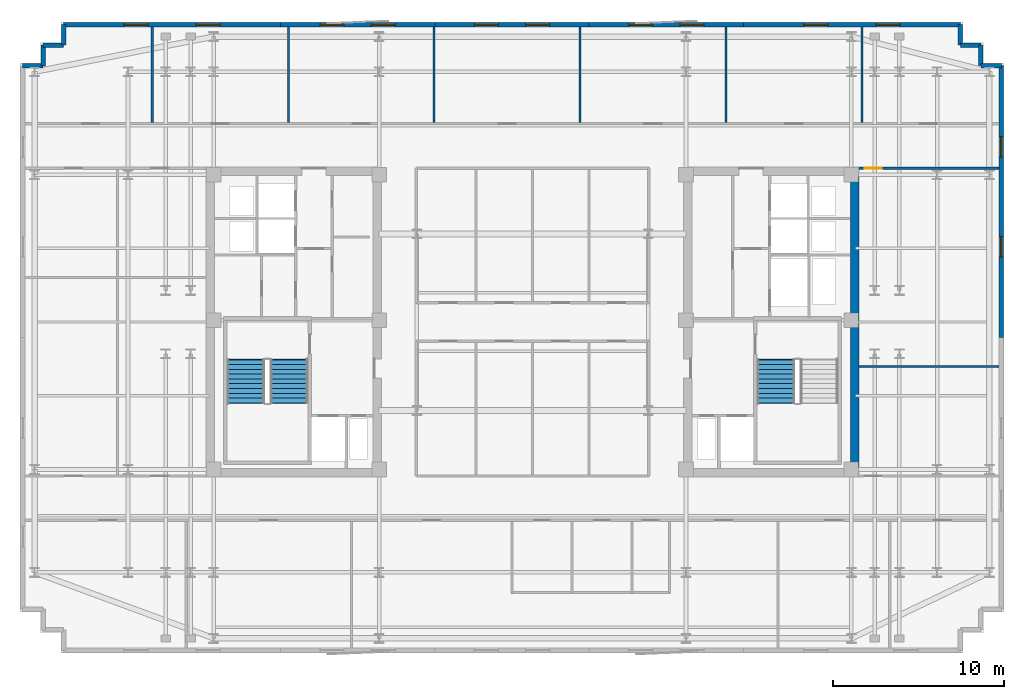
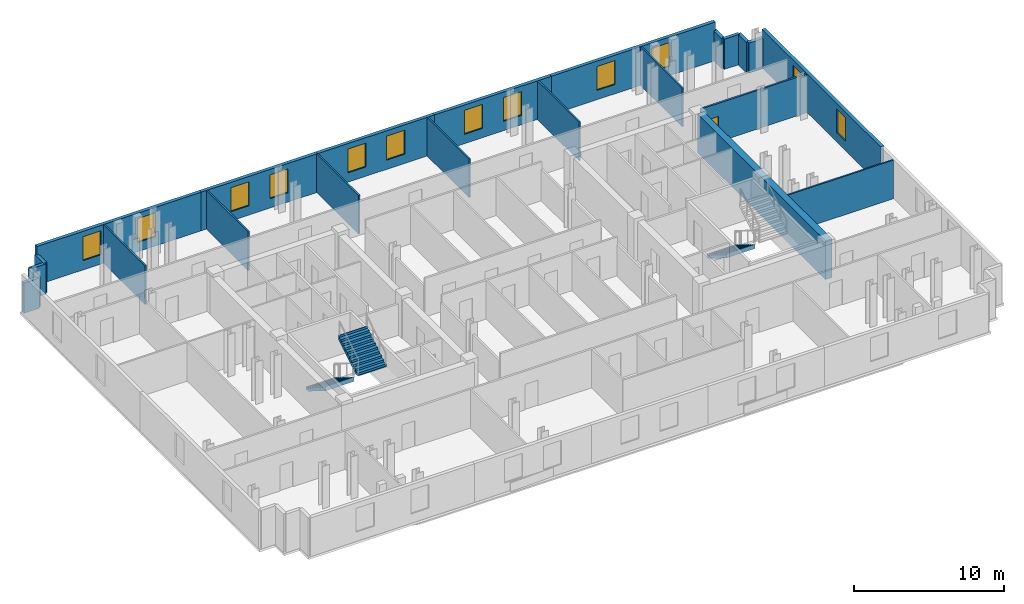
# One storey, part 7 of 10: 23 walls, 12 windows, 3 stair flights, 1 door, 13 openings, 2 elements without a shape of their own.
"""IFC4 building model written with IfcOpenShell, lengths in metres."""

from ifc_helpers import new_model, si_unit, direction, frame, frame_2d, origin, place, context, subcontext, project, spatial, polyline, rectangle, outline, extrude, material, layer, layer_set, type_object, element, fill, aggregate, save


model = new_model("IFC4")

# Units and contexts
model_context = context("Model", 3, precision=1e-05, world=origin(), true_north=direction((0.0, 1.0)))
body_context = subcontext(model_context, "Body", "Model", "MODEL_VIEW")
ifc_project = project(units=[si_unit("LENGTHUNIT", "METRE"), si_unit("AREAUNIT", "SQUARE_METRE"), si_unit("VOLUMEUNIT", "CUBIC_METRE"), si_unit("PLANEANGLEUNIT", "RADIAN"), si_unit("MASSUNIT", "GRAM", prefix="KILO")], contexts=[model_context])

# Site, building, storey
site_placement = place(None, origin())
site = spatial("IfcSite", under=ifc_project, at=site_placement, CompositionType="ELEMENT")
building_placement = place(site_placement, origin())
building = spatial("IfcBuilding", under=site, at=building_placement, Name="Velakula Bourse", CompositionType="ELEMENT")
storey_placement = place(building_placement, frame((0.0, 0.0, 239.550048828125)))
storey = spatial("IfcBuildingStorey", under=building, at=storey_placement, Name="L65", CompositionType="ELEMENT", Elevation=239.550048828125)

# Wall
ifc_material_1 = material(Name="Concrete M50 (fck 50 MPa)", Category="concrete")
ifc_layer_1 = layer(ifc_material_1, 0.5, Name="Concrete M50 (fck 50 MPa)", Category="concrete")
ifc_layer_set_1 = layer_set([ifc_layer_1], Name="Concrete M50 (fck 50 MPa)")
wall_type_1 = type_object("IfcWallType", Name="WL-CORE-500", PredefinedType="SHEAR", material=ifc_layer_set_1)
wall_1_placement = place(storey_placement, frame((18.800048828125, -8.550048828125, 0.0), z_axis=(0.0, 0.0, 1.0), x_axis=(0.0, 1.0, 0.0)))
element("IfcWall", 1, at=wall_1_placement, inside=storey, type_object=wall_type_1, Name="L65 Core E Shear Wall E", PredefinedType="SHEAR", context=body_context, shape_type="SweptSolid", body=[
    extrude(rectangle(XDim=17.10009765625, YDim=0.5, at=frame_2d((8.550048828125, 0.0))), origin(), (0.0, 0.0, 1.0), 3.169921875),
])

# Wall, openings, windows
ifc_material_2 = material(Name="Buff kilned clay facing brick masonry", Category="masonry")
ifc_layer_2 = layer(ifc_material_2, 0.260009765625, Name="Buff kilned clay facing brick masonry", Category="masonry")
ifc_layer_set_2 = layer_set([ifc_layer_2], Name="Buff kilned clay facing brick masonry")
wall_type_2 = type_object("IfcWallType", Name="WL-EXT-BRK-260", PredefinedType="STANDARD", material=ifc_layer_set_2)
wall_2_placement = place(storey_placement, frame((-27.35009765625, 17.35009765625, 0.0), z_axis=(0.0, 0.0, 1.0), x_axis=(1.0, 0.0, 0.0)))
wall_2 = element("IfcWall", 2, at=wall_2_placement, inside=storey, type_object=wall_type_2, Name="L65 N Brick Spandrel Wall B1", PredefinedType="STANDARD", context=body_context, shape_type="SweptSolid", body=[
    extrude(rectangle(XDim=12.650146484375, YDim=0.260009765625, at=frame_2d((6.3251953125, 0.0))), origin(), (0.0, 0.0, 1.0), 3.14990234375),
])
opening_1_placement = place(wall_2_placement, frame((3.5166015625, 0.0, 0.760009765625)))
opening_1 = element("IfcOpeningElement", 3, at=opening_1_placement, cuts=wall_2, Name="Opening W-03", PredefinedType="OPENING", context=body_context, shape_type="SweptSolid", body=[
    extrude(rectangle(XDim=1.39990234375, YDim=1.949951171875, at=frame_2d((0.699951171875, 0.97509765625))), frame((0.0, 0.139892578125, 0.0), z_axis=(0.0, -1.0, 0.0), x_axis=(1.0, 0.0, 0.0)), (0.0, 0.0, 1.0), 0.280029296875),
])
opening_2_placement = place(wall_2_placement, frame((7.7333984375, 0.0, 0.760009765625)))
opening_2 = element("IfcOpeningElement", 4, at=opening_2_placement, cuts=wall_2, Name="Opening W-03", PredefinedType="OPENING", context=body_context, shape_type="SweptSolid", body=[
    extrude(rectangle(XDim=1.39990234375, YDim=1.949951171875, at=frame_2d((0.699951171875, 0.97509765625))), frame((0.0, 0.139892578125, 0.0), z_axis=(0.0, -1.0, 0.0), x_axis=(1.0, 0.0, 0.0)), (0.0, 0.0, 1.0), 0.280029296875),
])
ifc_material_3 = material(Name="Double-glazed solar-control Low-E glass", Category="glass")
window_type_1 = type_object("IfcWindowType", Name="WIN-TWR-1400x2100", PartitioningType="SINGLE_PANEL", PredefinedType="WINDOW", material=ifc_material_3)
window_1_placement = place(opening_1_placement, origin())
window_1 = element("IfcWindow", 5, at=window_1_placement, inside=storey, type_object=window_type_1, Name="L65 Deep-Set Recessed Window 1", OverallHeight=1.949951171875, OverallWidth=1.39990234375, PartitioningType="SINGLE_PANEL", PredefinedType="WINDOW", context=body_context, shape_type="SweptSolid", body=[
    extrude(rectangle(XDim=1.39990234375, YDim=1.949951171875, at=frame_2d((0.699951171875, 0.97509765625))), frame((0.0, 0.030029296875, 0.0), z_axis=(0.0, -1.0, 0.0), x_axis=(1.0, 0.0, 0.0)), (0.0, 0.0, 1.0), 0.06005859375),
])
fill(opening_1, window_1)
window_2_placement = place(opening_2_placement, origin())
window_2 = element("IfcWindow", 6, at=window_2_placement, inside=storey, type_object=window_type_1, Name="L65 Deep-Set Recessed Window 2", OverallHeight=1.949951171875, OverallWidth=1.39990234375, PartitioningType="SINGLE_PANEL", PredefinedType="WINDOW", context=body_context, shape_type="SweptSolid", body=[
    extrude(rectangle(XDim=1.39990234375, YDim=1.949951171875, at=frame_2d((0.699951171875, 0.97509765625))), frame((0.0, 0.030029296875, 0.0), z_axis=(0.0, -1.0, 0.0), x_axis=(1.0, 0.0, 0.0)), (0.0, 0.0, 1.0), 0.06005859375),
])
fill(opening_2, window_2)

wall_3_placement = place(storey_placement, frame((-14.699951171875, 17.35009765625, 0.0), z_axis=(0.0, 0.0, 1.0), x_axis=(1.0, 0.0, 0.0)))
wall_3 = element("IfcWall", 7, at=wall_3_placement, inside=storey, type_object=wall_type_2, Name="L65 N Brick Spandrel Wall B2", PredefinedType="STANDARD", context=body_context, shape_type="SweptSolid", body=[
    extrude(rectangle(XDim=9.0, YDim=0.260009765625, at=frame_2d((4.5, 0.0))), origin(), (0.0, 0.0, 1.0), 3.14990234375),
])
opening_3_placement = place(wall_3_placement, frame((2.300048828125, 0.0, 0.760009765625)))
opening_3 = element("IfcOpeningElement", 8, at=opening_3_placement, cuts=wall_3, Name="Opening W-03", PredefinedType="OPENING", context=body_context, shape_type="SweptSolid", body=[
    extrude(rectangle(XDim=1.39990234375, YDim=1.949951171875, at=frame_2d((0.699951171875, 0.97509765625))), frame((0.0, 0.139892578125, 0.0), z_axis=(0.0, -1.0, 0.0), x_axis=(1.0, 0.0, 0.0)), (0.0, 0.0, 1.0), 0.280029296875),
])
opening_4_placement = place(wall_3_placement, frame((5.300048828125, 0.0, 0.760009765625)))
opening_4 = element("IfcOpeningElement", 9, at=opening_4_placement, cuts=wall_3, Name="Opening W-03", PredefinedType="OPENING", context=body_context, shape_type="SweptSolid", body=[
    extrude(rectangle(XDim=1.39990234375, YDim=1.949951171875, at=frame_2d((0.699951171875, 0.97509765625))), frame((0.0, 0.139892578125, 0.0), z_axis=(0.0, -1.0, 0.0), x_axis=(1.0, 0.0, 0.0)), (0.0, 0.0, 1.0), 0.280029296875),
])
window_3_placement = place(opening_3_placement, origin())
window_3 = element("IfcWindow", 10, at=window_3_placement, inside=storey, type_object=window_type_1, Name="L65 Deep-Set Recessed Window 1", OverallHeight=1.949951171875, OverallWidth=1.39990234375, PartitioningType="SINGLE_PANEL", PredefinedType="WINDOW", context=body_context, shape_type="SweptSolid", body=[
    extrude(rectangle(XDim=1.39990234375, YDim=1.949951171875, at=frame_2d((0.699951171875, 0.97509765625))), frame((0.0, 0.030029296875, 0.0), z_axis=(0.0, -1.0, 0.0), x_axis=(1.0, 0.0, 0.0)), (0.0, 0.0, 1.0), 0.06005859375),
])
fill(opening_3, window_3)
window_4_placement = place(opening_4_placement, origin())
window_4 = element("IfcWindow", 11, at=window_4_placement, inside=storey, type_object=window_type_1, Name="L65 Deep-Set Recessed Window 2", OverallHeight=1.949951171875, OverallWidth=1.39990234375, PartitioningType="SINGLE_PANEL", PredefinedType="WINDOW", context=body_context, shape_type="SweptSolid", body=[
    extrude(rectangle(XDim=1.39990234375, YDim=1.949951171875, at=frame_2d((0.699951171875, 0.97509765625))), frame((0.0, 0.030029296875, 0.0), z_axis=(0.0, -1.0, 0.0), x_axis=(1.0, 0.0, 0.0)), (0.0, 0.0, 1.0), 0.06005859375),
])
fill(opening_4, window_4)

wall_4_placement = place(storey_placement, frame((-5.699951171875, 17.35009765625, 0.0), z_axis=(0.0, 0.0, 1.0), x_axis=(1.0, 0.0, 0.0)))
wall_4 = element("IfcWall", 12, at=wall_4_placement, inside=storey, type_object=wall_type_2, Name="L65 N Brick Spandrel Wall B3", PredefinedType="STANDARD", context=body_context, shape_type="SweptSolid", body=[
    extrude(rectangle(XDim=9.0, YDim=0.260009765625, at=frame_2d((4.5, 0.0))), origin(), (0.0, 0.0, 1.0), 3.14990234375),
])
opening_5_placement = place(wall_4_placement, frame((2.300048828125, 0.0, 0.760009765625)))
opening_5 = element("IfcOpeningElement", 13, at=opening_5_placement, cuts=wall_4, Name="Opening W-03", PredefinedType="OPENING", context=body_context, shape_type="SweptSolid", body=[
    extrude(rectangle(XDim=1.39990234375, YDim=1.949951171875, at=frame_2d((0.699951171875, 0.97509765625))), frame((0.0, 0.139892578125, 0.0), z_axis=(0.0, -1.0, 0.0), x_axis=(1.0, 0.0, 0.0)), (0.0, 0.0, 1.0), 0.280029296875),
])
opening_6_placement = place(wall_4_placement, frame((5.300048828125, 0.0, 0.760009765625)))
opening_6 = element("IfcOpeningElement", 14, at=opening_6_placement, cuts=wall_4, Name="Opening W-03", PredefinedType="OPENING", context=body_context, shape_type="SweptSolid", body=[
    extrude(rectangle(XDim=1.39990234375, YDim=1.949951171875, at=frame_2d((0.699951171875, 0.97509765625))), frame((0.0, 0.139892578125, 0.0), z_axis=(0.0, -1.0, 0.0), x_axis=(1.0, 0.0, 0.0)), (0.0, 0.0, 1.0), 0.280029296875),
])
window_5_placement = place(opening_5_placement, origin())
window_5 = element("IfcWindow", 15, at=window_5_placement, inside=storey, type_object=window_type_1, Name="L65 Deep-Set Recessed Window 1", OverallHeight=1.949951171875, OverallWidth=1.39990234375, PartitioningType="SINGLE_PANEL", PredefinedType="WINDOW", context=body_context, shape_type="SweptSolid", body=[
    extrude(rectangle(XDim=1.39990234375, YDim=1.949951171875, at=frame_2d((0.699951171875, 0.97509765625))), frame((0.0, 0.030029296875, 0.0), z_axis=(0.0, -1.0, 0.0), x_axis=(1.0, 0.0, 0.0)), (0.0, 0.0, 1.0), 0.06005859375),
])
fill(opening_5, window_5)
window_6_placement = place(opening_6_placement, origin())
window_6 = element("IfcWindow", 16, at=window_6_placement, inside=storey, type_object=window_type_1, Name="L65 Deep-Set Recessed Window 2", OverallHeight=1.949951171875, OverallWidth=1.39990234375, PartitioningType="SINGLE_PANEL", PredefinedType="WINDOW", context=body_context, shape_type="SweptSolid", body=[
    extrude(rectangle(XDim=1.39990234375, YDim=1.949951171875, at=frame_2d((0.699951171875, 0.97509765625))), frame((0.0, 0.030029296875, 0.0), z_axis=(0.0, -1.0, 0.0), x_axis=(1.0, 0.0, 0.0)), (0.0, 0.0, 1.0), 0.06005859375),
])
fill(opening_6, window_6)

wall_5_placement = place(storey_placement, frame((3.300048828125, 17.35009765625, 0.0), z_axis=(0.0, 0.0, 1.0), x_axis=(1.0, 0.0, 0.0)))
wall_5 = element("IfcWall", 17, at=wall_5_placement, inside=storey, type_object=wall_type_2, Name="L65 N Brick Spandrel Wall B4", PredefinedType="STANDARD", context=body_context, shape_type="SweptSolid", body=[
    extrude(rectangle(XDim=9.0, YDim=0.260009765625, at=frame_2d((4.5, 0.0))), origin(), (0.0, 0.0, 1.0), 3.14990234375),
])
opening_7_placement = place(wall_5_placement, frame((2.300048828125, 0.0, 0.760009765625)))
opening_7 = element("IfcOpeningElement", 18, at=opening_7_placement, cuts=wall_5, Name="Opening W-03", PredefinedType="OPENING", context=body_context, shape_type="SweptSolid", body=[
    extrude(rectangle(XDim=1.39990234375, YDim=1.949951171875, at=frame_2d((0.699951171875, 0.97509765625))), frame((0.0, 0.139892578125, 0.0), z_axis=(0.0, -1.0, 0.0), x_axis=(1.0, 0.0, 0.0)), (0.0, 0.0, 1.0), 0.280029296875),
])
opening_8_placement = place(wall_5_placement, frame((5.300048828125, 0.0, 0.760009765625)))
opening_8 = element("IfcOpeningElement", 19, at=opening_8_placement, cuts=wall_5, Name="Opening W-03", PredefinedType="OPENING", context=body_context, shape_type="SweptSolid", body=[
    extrude(rectangle(XDim=1.39990234375, YDim=1.949951171875, at=frame_2d((0.699951171875, 0.97509765625))), frame((0.0, 0.139892578125, 0.0), z_axis=(0.0, -1.0, 0.0), x_axis=(1.0, 0.0, 0.0)), (0.0, 0.0, 1.0), 0.280029296875),
])
window_7_placement = place(opening_7_placement, origin())
window_7 = element("IfcWindow", 20, at=window_7_placement, inside=storey, type_object=window_type_1, Name="L65 Deep-Set Recessed Window 1", OverallHeight=1.949951171875, OverallWidth=1.39990234375, PartitioningType="SINGLE_PANEL", PredefinedType="WINDOW", context=body_context, shape_type="SweptSolid", body=[
    extrude(rectangle(XDim=1.39990234375, YDim=1.949951171875, at=frame_2d((0.699951171875, 0.97509765625))), frame((0.0, 0.030029296875, 0.0), z_axis=(0.0, -1.0, 0.0), x_axis=(1.0, 0.0, 0.0)), (0.0, 0.0, 1.0), 0.06005859375),
])
fill(opening_7, window_7)
window_8_placement = place(opening_8_placement, origin())
window_8 = element("IfcWindow", 21, at=window_8_placement, inside=storey, type_object=window_type_1, Name="L65 Deep-Set Recessed Window 2", OverallHeight=1.949951171875, OverallWidth=1.39990234375, PartitioningType="SINGLE_PANEL", PredefinedType="WINDOW", context=body_context, shape_type="SweptSolid", body=[
    extrude(rectangle(XDim=1.39990234375, YDim=1.949951171875, at=frame_2d((0.699951171875, 0.97509765625))), frame((0.0, 0.030029296875, 0.0), z_axis=(0.0, -1.0, 0.0), x_axis=(1.0, 0.0, 0.0)), (0.0, 0.0, 1.0), 0.06005859375),
])
fill(opening_8, window_8)

wall_6_placement = place(storey_placement, frame((12.300048828125, 17.35009765625, 0.0), z_axis=(0.0, 0.0, 1.0), x_axis=(1.0, 0.0, 0.0)))
wall_6 = element("IfcWall", 22, at=wall_6_placement, inside=storey, type_object=wall_type_2, Name="L65 N Brick Spandrel Wall B5", PredefinedType="STANDARD", context=body_context, shape_type="SweptSolid", body=[
    extrude(rectangle(XDim=12.64990234375, YDim=0.260009765625, at=frame_2d((6.324951171875, 0.0))), origin(), (0.0, 0.0, 1.0), 3.14990234375),
])
opening_9_placement = place(wall_6_placement, frame((3.5166015625, 0.0, 0.760009765625)))
opening_9 = element("IfcOpeningElement", 23, at=opening_9_placement, cuts=wall_6, Name="Opening W-03", PredefinedType="OPENING", context=body_context, shape_type="SweptSolid", body=[
    extrude(rectangle(XDim=1.39990234375, YDim=1.949951171875, at=frame_2d((0.699951171875, 0.97509765625))), frame((0.0, 0.139892578125, 0.0), z_axis=(0.0, -1.0, 0.0), x_axis=(1.0, 0.0, 0.0)), (0.0, 0.0, 1.0), 0.280029296875),
])
opening_10_placement = place(wall_6_placement, frame((7.7333984375, 0.0, 0.760009765625)))
opening_10 = element("IfcOpeningElement", 24, at=opening_10_placement, cuts=wall_6, Name="Opening W-03", PredefinedType="OPENING", context=body_context, shape_type="SweptSolid", body=[
    extrude(rectangle(XDim=1.39990234375, YDim=1.949951171875, at=frame_2d((0.699951171875, 0.97509765625))), frame((0.0, 0.139892578125, 0.0), z_axis=(0.0, -1.0, 0.0), x_axis=(1.0, 0.0, 0.0)), (0.0, 0.0, 1.0), 0.280029296875),
])
window_9_placement = place(opening_9_placement, origin())
window_9 = element("IfcWindow", 25, at=window_9_placement, inside=storey, type_object=window_type_1, Name="L65 Deep-Set Recessed Window 1", OverallHeight=1.949951171875, OverallWidth=1.39990234375, PartitioningType="SINGLE_PANEL", PredefinedType="WINDOW", context=body_context, shape_type="SweptSolid", body=[
    extrude(rectangle(XDim=1.39990234375, YDim=1.949951171875, at=frame_2d((0.699951171875, 0.97509765625))), frame((0.0, 0.030029296875, 0.0), z_axis=(0.0, -1.0, 0.0), x_axis=(1.0, 0.0, 0.0)), (0.0, 0.0, 1.0), 0.06005859375),
])
fill(opening_9, window_9)
window_10_placement = place(opening_10_placement, origin())
window_10 = element("IfcWindow", 26, at=window_10_placement, inside=storey, type_object=window_type_1, Name="L65 Deep-Set Recessed Window 2", OverallHeight=1.949951171875, OverallWidth=1.39990234375, PartitioningType="SINGLE_PANEL", PredefinedType="WINDOW", context=body_context, shape_type="SweptSolid", body=[
    extrude(rectangle(XDim=1.39990234375, YDim=1.949951171875, at=frame_2d((0.699951171875, 0.97509765625))), frame((0.0, 0.030029296875, 0.0), z_axis=(0.0, -1.0, 0.0), x_axis=(1.0, 0.0, 0.0)), (0.0, 0.0, 1.0), 0.06005859375),
])
fill(opening_10, window_10)

wall_7_placement = place(storey_placement, frame((27.35009765625, 14.949951171875, 0.0), z_axis=(0.0, 0.0, 1.0), x_axis=(0.0, -1.0, 0.0)))
wall_7 = element("IfcWall", 27, at=wall_7_placement, inside=storey, type_object=wall_type_2, Name="L65 E Brick End Wall W2", PredefinedType="STANDARD", context=body_context, shape_type="SweptSolid", body=[
    extrude(rectangle(XDim=15.849853515625, YDim=0.260009765625, at=frame_2d((7.9248046875, 0.0))), origin(), (0.0, 0.0, 1.0), 3.14990234375),
])
opening_11_placement = place(wall_7_placement, frame((4.13330078125, 0.0, 0.760009765625)))
opening_11 = element("IfcOpeningElement", 28, at=opening_11_placement, cuts=wall_7, Name="Opening W-04", PredefinedType="OPENING", context=body_context, shape_type="SweptSolid", body=[
    extrude(rectangle(XDim=1.199951171875, YDim=1.949951171875, at=frame_2d((0.60009765625, 0.97509765625))), frame((0.0, 0.139892578125, 0.0), z_axis=(0.0, -1.0, 0.0), x_axis=(1.0, 0.0, 0.0)), (0.0, 0.0, 1.0), 0.280029296875),
])
opening_12_placement = place(wall_7_placement, frame((9.966796875, 0.0, 0.760009765625)))
opening_12 = element("IfcOpeningElement", 29, at=opening_12_placement, cuts=wall_7, Name="Opening W-04", PredefinedType="OPENING", context=body_context, shape_type="SweptSolid", body=[
    extrude(rectangle(XDim=1.199951171875, YDim=1.949951171875, at=frame_2d((0.60009765625, 0.97509765625))), frame((0.0, 0.139892578125, 0.0), z_axis=(0.0, -1.0, 0.0), x_axis=(1.0, 0.0, 0.0)), (0.0, 0.0, 1.0), 0.280029296875),
])
window_type_2 = type_object("IfcWindowType", Name="WIN-TWR-1200x2100", PartitioningType="SINGLE_PANEL", PredefinedType="WINDOW", material=ifc_material_3)
window_11_placement = place(opening_11_placement, origin())
window_11 = element("IfcWindow", 30, at=window_11_placement, inside=storey, type_object=window_type_2, Name="L65 Deep-Set Recessed Window 1", OverallHeight=1.949951171875, OverallWidth=1.199951171875, PartitioningType="SINGLE_PANEL", PredefinedType="WINDOW", context=body_context, shape_type="SweptSolid", body=[
    extrude(rectangle(XDim=1.199951171875, YDim=1.949951171875, at=frame_2d((0.60009765625, 0.97509765625))), frame((0.0, 0.030029296875, 0.0), z_axis=(0.0, -1.0, 0.0), x_axis=(1.0, 0.0, 0.0)), (0.0, 0.0, 1.0), 0.06005859375),
])
fill(opening_11, window_11)
window_12_placement = place(opening_12_placement, origin())
window_12 = element("IfcWindow", 31, at=window_12_placement, inside=storey, type_object=window_type_2, Name="L65 Deep-Set Recessed Window 2", OverallHeight=1.949951171875, OverallWidth=1.199951171875, PartitioningType="SINGLE_PANEL", PredefinedType="WINDOW", context=body_context, shape_type="SweptSolid", body=[
    extrude(rectangle(XDim=1.199951171875, YDim=1.949951171875, at=frame_2d((0.60009765625, 0.97509765625))), frame((0.0, 0.030029296875, 0.0), z_axis=(0.0, -1.0, 0.0), x_axis=(1.0, 0.0, 0.0)), (0.0, 0.0, 1.0), 0.06005859375),
])
fill(opening_12, window_12)

# Walls
wall_8_placement = place(storey_placement, frame((27.35009765625, 14.949951171875, 0.0), z_axis=(0.0, 0.0, 1.0), x_axis=(-1.0, 0.0, 0.0)))
element("IfcWall", 32, at=wall_8_placement, inside=storey, type_object=wall_type_2, Name="L65 Serrated Corner Brick Wall NE-1", PredefinedType="STANDARD", context=body_context, shape_type="SweptSolid", body=[
    extrude(rectangle(XDim=1.2001953125, YDim=0.260009765625, at=frame_2d((0.60009765625, 0.0))), origin(), (0.0, 0.0, 1.0), 2.46484375),
])
for number, where, z_axis, x_axis, name in (
    (33, (26.14990234375, 14.949951171875, 0.0), (0.0, 0.0, 1.0), (0.0, 1.0, 0.0), "L65 Serrated Corner Brick Wall NE-2"),
    (34, (26.14990234375, 16.14990234375, 0.0), (0.0, 0.0, 1.0), (-1.0, 0.0, 0.0), "L65 Serrated Corner Brick Wall NE-3"),
):
    element("IfcWall", number, at=place(storey_placement, frame(where, z_axis=z_axis, x_axis=x_axis)), inside=storey, type_object=wall_type_2, Name=name, PredefinedType="STANDARD", context=body_context, shape_type="SweptSolid", body=[
        extrude(rectangle(XDim=1.199951171875, YDim=0.260009765625, at=frame_2d((0.60009765625, 0.0))), origin(), (0.0, 0.0, 1.0), 2.46484375),
    ])
for number, where, z_axis, x_axis, name in (
    (35, (24.949951171875, 16.14990234375, 0.0), (0.0, 0.0, 1.0), (0.0, 1.0, 0.0), "L65 Serrated Corner Brick Wall NE-4"),
    (36, (-27.35009765625, 17.35009765625, 0.0), (0.0, 0.0, 1.0), (0.0, -1.0, 0.0), "L65 Serrated Corner Brick Wall NW-1"),
):
    element("IfcWall", number, at=place(storey_placement, frame(where, z_axis=z_axis, x_axis=x_axis)), inside=storey, type_object=wall_type_2, Name=name, PredefinedType="STANDARD", context=body_context, shape_type="SweptSolid", body=[
        extrude(rectangle(XDim=1.2001953125, YDim=0.260009765625, at=frame_2d((0.60009765625, 0.0))), origin(), (0.0, 0.0, 1.0), 2.46484375),
    ])
for number, where, z_axis, x_axis, name in (
    (37, (-27.35009765625, 16.14990234375, 0.0), (0.0, 0.0, 1.0), (-1.0, 0.0, 0.0), "L65 Serrated Corner Brick Wall NW-2"),
    (38, (-28.550048828125, 16.14990234375, 0.0), (0.0, 0.0, 1.0), (0.0, -1.0, 0.0), "L65 Serrated Corner Brick Wall NW-3"),
    (39, (-28.550048828125, 14.949951171875, 0.0), (0.0, 0.0, 1.0), (-1.0, 0.0, 0.0), "L65 Serrated Corner Brick Wall NW-4"),
):
    element("IfcWall", number, at=place(storey_placement, frame(where, z_axis=z_axis, x_axis=x_axis)), inside=storey, type_object=wall_type_2, Name=name, PredefinedType="STANDARD", context=body_context, shape_type="SweptSolid", body=[
        extrude(rectangle(XDim=1.199951171875, YDim=0.260009765625, at=frame_2d((0.60009765625, 0.0))), origin(), (0.0, 0.0, 1.0), 2.46484375),
    ])
ifc_material_4 = material(Name="Fire-rated double-layer gypsum drywall partition", Category="gypsum")
ifc_layer_3 = layer(ifc_material_4, 0.1201171875, Name="Fire-rated double-layer gypsum drywall partition", Category="gypsum")
ifc_layer_set_3 = layer_set([ifc_layer_3], Name="Fire-rated double-layer gypsum drywall partition")
wall_type_3 = type_object("IfcWallType", Name="WL-PART-120", PredefinedType="STANDARD", material=ifc_layer_set_3)
for number, where, z_axis, x_axis, name in (
    (40, (-22.18603515625, 11.639892578125, 0.0), (0.0, 0.0, 1.0), (0.0, 1.0, 0.0), "L65 Interior Partition WL-INT-L65-N-D1"),
    (41, (-14.24609375, 11.639892578125, 0.0), (0.0, 0.0, 1.0), (0.0, 1.0, 0.0), "L65 Interior Partition WL-INT-L65-N-D2"),
    (42, (-5.738037109375, 11.639892578125, 0.0), (0.0, 0.0, 1.0), (0.0, 1.0, 0.0), "L65 Interior Partition WL-INT-L65-N-D3"),
    (43, (2.77001953125, 11.639892578125, 0.0), (0.0, 0.0, 1.0), (0.0, 1.0, 0.0), "L65 Interior Partition WL-INT-L65-N-D4"),
    (44, (11.278076171875, 11.639892578125, 0.0), (0.0, 0.0, 1.0), (0.0, 1.0, 0.0), "L65 Interior Partition WL-INT-L65-N-D5"),
    (45, (19.218994140625, 11.639892578125, 0.0), (0.0, 0.0, 1.0), (0.0, 1.0, 0.0), "L65 Interior Partition WL-INT-L65-N-D6"),
):
    element("IfcWall", number, at=place(storey_placement, frame(where, z_axis=z_axis, x_axis=x_axis)), inside=storey, type_object=wall_type_3, Name=name, PredefinedType="STANDARD", context=body_context, shape_type="SweptSolid", body=[
        extrude(rectangle(XDim=5.580078125, YDim=0.1201171875, at=frame_2d((2.7900390625, 0.0))), origin(), (0.0, 0.0, 1.0), 3.14990234375),
    ])
wall_9_placement = place(storey_placement, frame((19.050048828125, -2.60009765625, 0.0), z_axis=(0.0, 0.0, 1.0), x_axis=(1.0, 0.0, 0.0)))
element("IfcWall", 46, at=wall_9_placement, inside=storey, type_object=wall_type_3, Name="L65 Interior Partition WL-INT-L65-E-H", PredefinedType="STANDARD", context=body_context, shape_type="SweptSolid", body=[
    extrude(rectangle(XDim=8.169921875, YDim=0.1201171875, at=frame_2d((4.0849609375, 0.0))), origin(), (0.0, 0.0, 1.0), 3.14990234375),
])

# Wall, opening, door
ifc_layer_4 = layer(ifc_material_4, 0.139892578125, Name="Fire-rated double-layer gypsum drywall partition", Category="gypsum")
ifc_layer_set_4 = layer_set([ifc_layer_4], Name="Fire-rated double-layer gypsum drywall partition")
wall_type_4 = type_object("IfcWallType", Name="WL-PART-140", PredefinedType="STANDARD", material=ifc_layer_set_4)
wall_10_placement = place(storey_placement, frame((19.050048828125, 8.97998046875, 0.0), z_axis=(0.0, 0.0, 1.0), x_axis=(1.0, 0.0, 0.0)))
wall_10 = element("IfcWall", 47, at=wall_10_placement, inside=storey, type_object=wall_type_4, Name="L65 Interior Partition WL-INT-L65-E-NC", PredefinedType="STANDARD", context=body_context, shape_type="SweptSolid", body=[
    extrude(rectangle(XDim=8.169921875, YDim=0.139892578125, at=frame_2d((4.0849609375, 0.0))), origin(), (0.0, 0.0, 1.0), 3.14990234375),
])
opening_13_placement = place(wall_10_placement, frame((0.320068359375, 0.0, 0.0)))
opening_13 = element("IfcOpeningElement", 48, at=opening_13_placement, cuts=wall_10, Name="Opening D-OF1", PredefinedType="OPENING", context=body_context, shape_type="SweptSolid", body=[
    extrude(rectangle(XDim=1.0, YDim=2.080078125, at=frame_2d((0.5, 1.0400390625))), frame((0.0, 0.079833984375, 0.0), z_axis=(0.0, -1.0, 0.0), x_axis=(1.0, 0.0, 0.0)), (0.0, 0.0, 1.0), 0.159912109375),
])
ifc_material_5 = material(Name="Fire-rated hardwood flush architectural door", Category="wood")
door_type = type_object("IfcDoorType", Name="DR-OFF-1000", OperationType="NOTDEFINED", PredefinedType="DOOR", material=ifc_material_5)
door_placement = place(opening_13_placement, origin())
door = element("IfcDoor", 49, at=door_placement, inside=storey, type_object=door_type, Name="L65 Issuer Relations Office Door", OperationType="SINGLE_SWING_LEFT", OverallHeight=2.080078125, OverallWidth=1.0, PredefinedType="DOOR", context=body_context, shape_type="SweptSolid", body=[
    extrude(rectangle(XDim=1.0, YDim=2.080078125, at=frame_2d((0.5, 1.0400390625))), frame((0.0, 0.02490234375, 0.0), z_axis=(0.0, -1.0, 0.0), x_axis=(1.0, 0.0, 0.0)), (0.0, 0.0, 1.0), 0.050048828125),
])
fill(opening_13, door)

# Stair, stair flights
ifc_material_6 = material(Name="Concrete M45 (fck 45 MPa)", Category="concrete")
stair_type = type_object("IfcStairType", Name="STR-DOG-390", PredefinedType="HALF_TURN_STAIR", material=ifc_material_6)
stair_1_placement = place(storey_placement, origin())
stair_1 = element("IfcStair", 50, at=stair_1_placement, inside=storey, type_object=stair_type, Name="L65 West Core Exit Stair ST-W1", PredefinedType="HALF_TURN_STAIR")
ifc_layer_5 = layer(ifc_material_6, 0.195068359375, Name="Concrete M45 (fck 45 MPa)", Category="concrete")
ifc_layer_set_5 = layer_set([ifc_layer_5], Name="Concrete M45 (fck 45 MPa)")
stair_flight_type = type_object("IfcStairFlightType", Name="FLT-DOG-390", PredefinedType="STRAIGHT", material=ifc_layer_set_5)
stair_flight_1_placement = place(storey_placement, frame((-16.720947265625, -2.199951171875, 0.0), z_axis=(0.0, 0.0, 1.0), x_axis=(0.0, -1.0, 0.0)))
stair_flight_1 = element("IfcStairFlight", 51, at=stair_flight_1_placement, type_object=stair_flight_type, Name="ST-W1 flight 1", NumberOfRisers=10, NumberOfTreads=9, PredefinedType="STRAIGHT", RiserHeight=0.1725, TreadLength=0.28, context=body_context, shape_type="SweptSolid", body=[
    extrude(outline(polyline([(-0.044921875, -0.0400390625), (-0.044921875, -0.036865234375), (-0.044921875, -0.033935546875), (-0.044921875, -0.03076171875), (-0.044921875, -0.027587890625), (-0.044921875, -0.024658203125), (-0.044921875, -0.021484375), (-0.044921875, -0.0185546875), (-0.044921875, -0.015380859375), (-0.044921875, -0.01220703125), (-0.044921875, -0.00927734375), (-0.044921875, -0.006103515625), (-0.044921875, -0.003173828125), (-0.044921875, 0.0), (0.0, 0.0), (0.0, 0.172607421875), (0.280029296875, 0.172607421875), (0.280029296875, 0.344970703125), (0.56005859375, 0.344970703125), (0.56005859375, 0.517578125), (0.840087890625, 0.517578125), (0.840087890625, 0.68994140625), (1.1201171875, 0.68994140625), (1.1201171875, 0.862548828125), (1.39990234375, 0.862548828125), (1.39990234375, 1.034912109375), (1.679931640625, 1.034912109375), (1.679931640625, 1.20751953125), (1.9599609375, 1.20751953125), (1.9599609375, 1.3798828125), (2.239990234375, 1.3798828125), (2.239990234375, 1.552490234375), (2.52001953125, 1.552490234375), (2.52001953125, 1.72509765625), (2.56494140625, 1.72509765625), (2.56494140625, 1.7001953125), (2.56494140625, 1.67529296875), (2.56494140625, 1.650390625), (2.56494140625, 1.62548828125), (2.56494140625, 1.6005859375), (2.56494140625, 1.57568359375), (2.56494140625, 1.55078125), (2.56494140625, 1.52587890625), (2.56494140625, 1.5009765625), (2.56494140625, 1.47607421875), (2.56494140625, 1.451171875), (2.56494140625, 1.42626953125), (2.56494140625, 1.4013671875), (2.56494140625, 1.37646484375), (0.285888671875, -0.0400390625), (-0.044921875, -0.0400390625)])), frame((0.0, 1.09912109375, 0.0), z_axis=(0.0, -1.0, 0.0), x_axis=(1.0, 0.0, 0.0)), (0.0, 0.0, 1.0), 2.197998046875),
])
stair_flight_2_placement = place(storey_placement, frame((-14.198974609375, -4.719970703125, 1.724853515625), z_axis=(0.0, 0.0, 1.0), x_axis=(0.0, 1.0, 0.0)))
stair_flight_2 = element("IfcStairFlight", 52, at=stair_flight_2_placement, type_object=stair_flight_type, Name="ST-W1 flight 2", NumberOfRisers=10, NumberOfTreads=9, PredefinedType="STRAIGHT", RiserHeight=0.1725, TreadLength=0.28, context=body_context, shape_type="SweptSolid", body=[
    extrude(outline(polyline([(-0.044921875, -0.0400390625), (-0.044921875, -0.036865234375), (-0.044921875, -0.033935546875), (-0.044921875, -0.03076171875), (-0.044921875, -0.027587890625), (-0.044921875, -0.024658203125), (-0.044921875, -0.021484375), (-0.044921875, -0.0185546875), (-0.044921875, -0.015380859375), (-0.044921875, -0.01220703125), (-0.044921875, -0.00927734375), (-0.044921875, -0.006103515625), (-0.044921875, -0.003173828125), (-0.044921875, 0.0), (0.0, 0.0), (0.0, 0.172607421875), (0.280029296875, 0.172607421875), (0.280029296875, 0.344970703125), (0.56005859375, 0.344970703125), (0.56005859375, 0.517578125), (0.840087890625, 0.517578125), (0.840087890625, 0.68994140625), (1.1201171875, 0.68994140625), (1.1201171875, 0.862548828125), (1.39990234375, 0.862548828125), (1.39990234375, 1.034912109375), (1.679931640625, 1.034912109375), (1.679931640625, 1.20751953125), (1.9599609375, 1.20751953125), (1.9599609375, 1.3798828125), (2.239990234375, 1.3798828125), (2.239990234375, 1.552490234375), (2.52001953125, 1.552490234375), (2.52001953125, 1.72509765625), (2.56494140625, 1.72509765625), (2.56494140625, 1.7001953125), (2.56494140625, 1.67529296875), (2.56494140625, 1.650390625), (2.56494140625, 1.62548828125), (2.56494140625, 1.6005859375), (2.56494140625, 1.57568359375), (2.56494140625, 1.55078125), (2.56494140625, 1.52587890625), (2.56494140625, 1.5009765625), (2.56494140625, 1.47607421875), (2.56494140625, 1.451171875), (2.56494140625, 1.42626953125), (2.56494140625, 1.4013671875), (2.56494140625, 1.37646484375), (0.285888671875, -0.0400390625), (-0.044921875, -0.0400390625)])), frame((0.0, 1.09912109375, 0.0), z_axis=(0.0, -1.0, 0.0), x_axis=(1.0, 0.0, 0.0)), (0.0, 0.0, 1.0), 2.197998046875),
])
aggregate(stair_1, [stair_flight_1, stair_flight_2])

# Stair, stair flight
stair_2_placement = place(storey_placement, origin())
stair_2 = element("IfcStair", 53, at=stair_2_placement, inside=storey, type_object=stair_type, Name="L65 East Core Exit Stair ST-E1", PredefinedType="HALF_TURN_STAIR")
stair_flight_3_placement = place(storey_placement, frame((14.198974609375, -2.199951171875, 0.0), z_axis=(0.0, 0.0, 1.0), x_axis=(0.0, -1.0, 0.0)))
stair_flight_3 = element("IfcStairFlight", 54, at=stair_flight_3_placement, type_object=stair_flight_type, Name="ST-E1 flight 1", NumberOfRisers=10, NumberOfTreads=9, PredefinedType="STRAIGHT", RiserHeight=0.1725, TreadLength=0.28, context=body_context, shape_type="SweptSolid", body=[
    extrude(outline(polyline([(-0.044921875, -0.0400390625), (-0.044921875, -0.036865234375), (-0.044921875, -0.033935546875), (-0.044921875, -0.03076171875), (-0.044921875, -0.027587890625), (-0.044921875, -0.024658203125), (-0.044921875, -0.021484375), (-0.044921875, -0.0185546875), (-0.044921875, -0.015380859375), (-0.044921875, -0.01220703125), (-0.044921875, -0.00927734375), (-0.044921875, -0.006103515625), (-0.044921875, -0.003173828125), (-0.044921875, 0.0), (0.0, 0.0), (0.0, 0.172607421875), (0.280029296875, 0.172607421875), (0.280029296875, 0.344970703125), (0.56005859375, 0.344970703125), (0.56005859375, 0.517578125), (0.840087890625, 0.517578125), (0.840087890625, 0.68994140625), (1.1201171875, 0.68994140625), (1.1201171875, 0.862548828125), (1.39990234375, 0.862548828125), (1.39990234375, 1.034912109375), (1.679931640625, 1.034912109375), (1.679931640625, 1.20751953125), (1.9599609375, 1.20751953125), (1.9599609375, 1.3798828125), (2.239990234375, 1.3798828125), (2.239990234375, 1.552490234375), (2.52001953125, 1.552490234375), (2.52001953125, 1.72509765625), (2.56494140625, 1.72509765625), (2.56494140625, 1.7001953125), (2.56494140625, 1.67529296875), (2.56494140625, 1.650390625), (2.56494140625, 1.62548828125), (2.56494140625, 1.6005859375), (2.56494140625, 1.57568359375), (2.56494140625, 1.55078125), (2.56494140625, 1.52587890625), (2.56494140625, 1.5009765625), (2.56494140625, 1.47607421875), (2.56494140625, 1.451171875), (2.56494140625, 1.42626953125), (2.56494140625, 1.4013671875), (2.56494140625, 1.37646484375), (0.285888671875, -0.0400390625), (-0.044921875, -0.0400390625)])), frame((0.0, 1.09912109375, 0.0), z_axis=(0.0, -1.0, 0.0), x_axis=(1.0, 0.0, 0.0)), (0.0, 0.0, 1.0), 2.197998046875),
])
aggregate(stair_2, [stair_flight_3])

save(model, "model.ifc")
